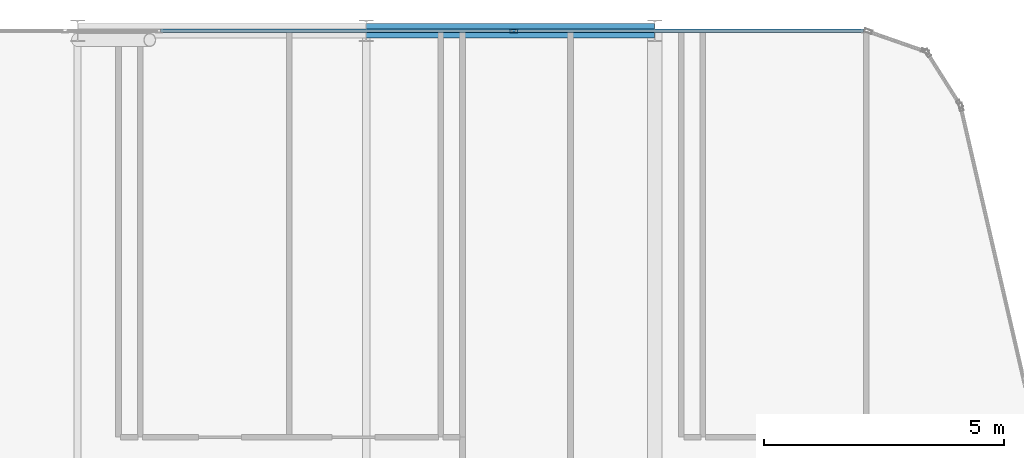
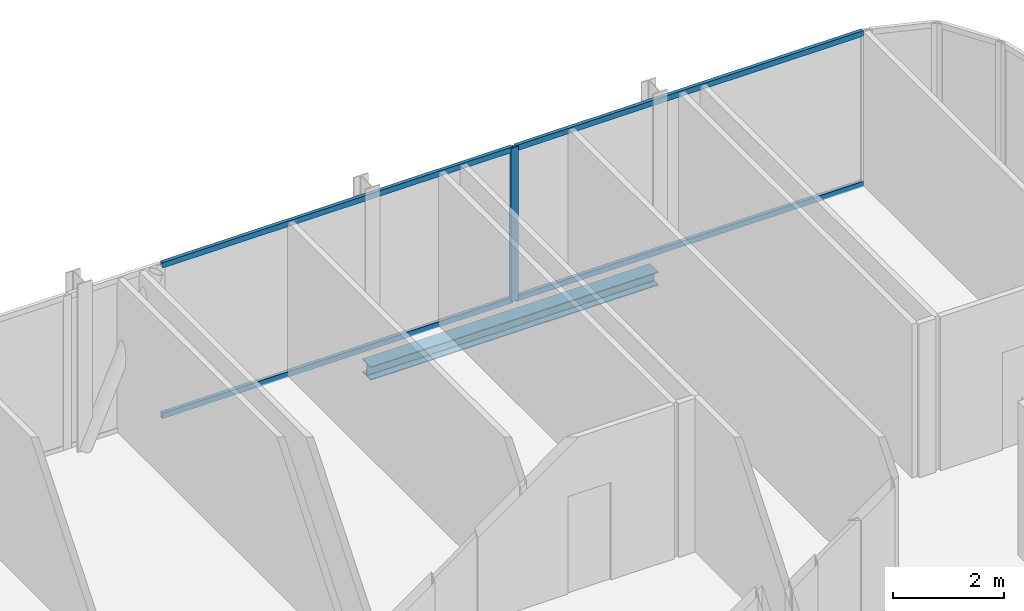
# One storey, part 19 of 29: 5 members, 1 beam, 1 element without a shape of its own.
"""IFC4 building model written with IfcOpenShell, lengths in metres."""

import ifcopenshell
import ifcopenshell.guid

model = None  # the IFC model being written
_history = None  # IfcOwnerHistory: only IFC2X3 demands one
_inside = {}  # id of a spatial element -> (the spatial element, [elements in it])
_under = {}  # id of a project, library or spatial element -> (it, [spatial elements below it])
_declared = {}  # id of a project -> (the project, [libraries it declares])
_typed = {}  # id of a type object -> (the type object, [elements of that type])
_made_of = {}  # id of a material, layer set ... -> (it, [elements and type objects made of it])


def new_model(schema):
    """Start an empty IFC model of exactly this schema.

    Asked for "IFC4X3", IfcOpenShell would pick the latest addendum, in which some entities
    have other attributes; the version numbers below select the first issue.
    IFC2X3 requires an IfcOwnerHistory on every rooted entity: one is made here for all.
    """
    global model, _history
    if schema == "IFC4X3":
        model = ifcopenshell.file(schema_version=(4, 3, 0, 0))
    else:
        model = ifcopenshell.file(schema=schema)
    _inside.clear()
    _under.clear()
    _declared.clear()
    _typed.clear()
    _made_of.clear()
    _history = None
    if model.schema == "IFC2X3":
        org = make("IfcOrganization", Name="unknown")
        user = make(
            "IfcPersonAndOrganization",
            ThePerson=make("IfcPerson", FamilyName="unknown"),
            TheOrganization=org,
        )
        app = make(
            "IfcApplication",
            ApplicationDeveloper=org,
            Version="unknown",
            ApplicationFullName="unknown",
            ApplicationIdentifier="unknown",
        )
        _history = make(
            "IfcOwnerHistory",
            OwningUser=user,
            OwningApplication=app,
            ChangeAction="ADDED",
            CreationDate=0,
        )
    return model


def make(cls, **values):
    """One entity of the class cls with the attributes given. An attribute that is None is left unset."""
    return model.create_entity(
        cls, **{name: value for name, value in values.items() if value is not None}
    )


def rooted(cls, **values):
    """An entity with a GlobalId (a new one), such as an element, a storey or a relation."""
    return make(cls, GlobalId=ifcopenshell.guid.new(), OwnerHistory=_history, **values)


def si_unit(unit_type, name, prefix=None):
    """IfcSIUnit, for example si_unit("LENGTHUNIT", "METRE", prefix="MILLI")."""
    return make("IfcSIUnit", UnitType=unit_type, Prefix=prefix, Name=name)


def assignment(units):
    """IfcUnitAssignment: the units of a project."""
    return None if units is None else make("IfcUnitAssignment", Units=units)


def point(xyz):
    """IfcCartesianPoint."""
    return None if xyz is None else make("IfcCartesianPoint", Coordinates=xyz)


def direction(xyz):
    """IfcDirection."""
    return None if xyz is None else make("IfcDirection", DirectionRatios=xyz)


def frame(location, z_axis=None, x_axis=None):
    """IfcAxis2Placement3D, a coordinate frame: its origin and axes. An axis left out is left unset."""
    return make(
        "IfcAxis2Placement3D",
        Location=point(location),
        Axis=direction(z_axis),
        RefDirection=direction(x_axis),
    )


def frame_2d(location, x_axis=None):
    """IfcAxis2Placement2D, a coordinate frame in the plane: its origin and x axis."""
    return make(
        "IfcAxis2Placement2D", Location=point(location), RefDirection=direction(x_axis)
    )


def origin():
    """The frame at (0, 0, 0) with its axes left unset."""
    return frame((0.0, 0.0, 0.0))


def origin_2d():
    """The frame at (0, 0) in the plane with its x axis left unset."""
    return frame_2d((0.0, 0.0))


def place(relative_to, where):
    """IfcLocalPlacement: puts the frame where relative to a parent placement (None: the world)."""
    return make(
        "IfcLocalPlacement", PlacementRelTo=relative_to, RelativePlacement=where
    )


def context(
    kind, dimensions, precision=None, world=None, true_north=None, identifier=None
):
    """IfcGeometricRepresentationContext, for example the 3D "Model" context."""
    return make(
        "IfcGeometricRepresentationContext",
        ContextIdentifier=identifier,
        ContextType=kind,
        CoordinateSpaceDimension=dimensions,
        Precision=precision,
        WorldCoordinateSystem=world,
        TrueNorth=true_north,
    )


def subcontext(parent, identifier, kind, view, scale=None):
    """IfcGeometricRepresentationSubContext, for example "Body" below "Model"."""
    return make(
        "IfcGeometricRepresentationSubContext",
        ContextIdentifier=identifier,
        ContextType=kind,
        ParentContext=parent,
        TargetScale=scale,
        TargetView=view,
    )


def project(units=None, contexts=None):
    """IfcProject with its units and contexts."""
    return rooted(
        "IfcProject",
        Name="project",
        RepresentationContexts=contexts,
        UnitsInContext=assignment(units),
    )


def spatial(cls, under=None, at=None, **own):
    """A site, building, storey or space (cls), placed at a placement, below another one or the project."""
    s = rooted(cls, ObjectPlacement=at, **own)
    if under is not None:
        _under.setdefault(under.id(), (under, []))[1].append(s)
    return s


def profile(cls, at=None, kind="AREA", **sizes):
    """A parametric profile (cls). Its sizes go by their IFC names, for example OverallWidth=200.0."""
    return make(cls, ProfileType=kind, Position=at, **sizes)


def hollow_rectangle(**sizes):
    """IfcRectangleHollowProfileDef."""
    return profile("IfcRectangleHollowProfileDef", **sizes)


def i_section(**sizes):
    """IfcIShapeProfileDef."""
    return profile("IfcIShapeProfileDef", **sizes)


def extrude(swept, where, along, depth):
    """IfcExtrudedAreaSolid: the profile swept, set in the frame where, extruded along a direction by depth."""
    return make(
        "IfcExtrudedAreaSolid",
        SweptArea=swept,
        Position=where,
        ExtrudedDirection=direction(along),
        Depth=depth,
    )


def shape(context_of_items, identifier, shape_type, items):
    """IfcShapeRepresentation: the items that make up one representation, for example the "Body"."""
    return make(
        "IfcShapeRepresentation",
        ContextOfItems=context_of_items,
        RepresentationIdentifier=identifier,
        RepresentationType=shape_type,
        Items=items,
    )


def material(Name=None, Category=None):
    """IfcMaterial."""
    return make("IfcMaterial", Name=Name, Category=Category)


def layer(
    of_material, thickness, ventilated=None, Name=None, Category=None, Priority=None
):
    """IfcMaterialLayer: one layer of a wall or slab, of a material (None: an air gap)."""
    return make(
        "IfcMaterialLayer",
        Material=of_material,
        LayerThickness=thickness,
        IsVentilated=ventilated,
        Name=Name,
        Category=Category,
        Priority=Priority,
    )


def layer_set(layers, Name=None):
    """IfcMaterialLayerSet."""
    return make("IfcMaterialLayerSet", MaterialLayers=layers, LayerSetName=Name)


def material_profile(
    of_material, cross_section, Name=None, Category=None, Priority=None
):
    """IfcMaterialProfile: a cross section and its material."""
    return make(
        "IfcMaterialProfile",
        Name=Name,
        Material=of_material,
        Profile=cross_section,
        Priority=Priority,
        Category=Category,
    )


def profile_set(profiles, Name=None, composite=None):
    """IfcMaterialProfileSet."""
    return make(
        "IfcMaterialProfileSet",
        Name=Name,
        MaterialProfiles=profiles,
        CompositeProfile=composite,
    )


def made_of(thing, what):
    """Note that an element or type object is made of a material, layer set ...; save() writes the relation."""
    if what is not None:
        _made_of.setdefault(what.id(), (what, []))[1].append(thing)
    return thing


def type_object(cls, material=None, **own):
    """A type object (cls), such as IfcWallType, which elements share."""
    return made_of(rooted(cls, **own), material)


def element(
    cls,
    number,
    at=None,
    inside=None,
    cuts=None,
    type_object=None,
    material=None,
    context=None,
    identifier="Body",
    shape_type=None,
    held_by="IfcProductDefinitionShape",
    body=None,
    shapes=None,
    **own,
):
    """One element of the class cls, such as IfcWall. Its Tag is "e" and its number.

    at: its placement. inside: the storey or other place that contains it. cuts: it is an
    opening in that element (IfcRelVoidsElement). A single representation is given by context,
    identifier, shape_type and body (its items); several are given by shapes. held_by: the class
    of the entity that holds the representations. save() writes the other relations.
    """
    e = rooted(cls, Tag="e%d" % number, ObjectPlacement=at, **own)
    if body is not None:
        shapes = [shape(context, identifier, shape_type, body)]
    if shapes is not None:
        e.Representation = make(held_by, Representations=shapes)
    if inside is not None:
        _inside.setdefault(inside.id(), (inside, []))[1].append(e)
    if cuts is not None:
        rooted(
            "IfcRelVoidsElement", RelatingBuildingElement=cuts, RelatedOpeningElement=e
        )
    if type_object is not None:
        _typed.setdefault(type_object.id(), (type_object, []))[1].append(e)
    return made_of(e, material)


def aggregate(whole, parts):
    """IfcRelAggregates: a whole, such as a stair, and the parts it consists of."""
    return rooted("IfcRelAggregates", RelatingObject=whole, RelatedObjects=parts)


def save(model, path):
    """Write the relations noted so far, then the file.

    IfcRelAggregates (storeys below a building ...), IfcRelContainedInSpatialStructure (elements
    in a storey), IfcRelDefinesByType, IfcRelAssociatesMaterial and IfcRelDeclares: one each for
    every whole, place, type object, material and project.
    """
    for whole, parts in _under.values():
        aggregate(whole, parts)
    for where, things in _inside.values():
        rooted(
            "IfcRelContainedInSpatialStructure",
            RelatedElements=things,
            RelatingStructure=where,
        )
    for kind, things in _typed.values():
        rooted("IfcRelDefinesByType", RelatedObjects=things, RelatingType=kind)
    for what, things in _made_of.values():
        rooted("IfcRelAssociatesMaterial", RelatedObjects=things, RelatingMaterial=what)
    for by, libraries in _declared.values():
        rooted("IfcRelDeclares", RelatingContext=by, RelatedDefinitions=libraries)
    model.write(path)


model = new_model("IFC4")

# Units and contexts
model_context = context("Model", 3, precision=1e-05, world=origin(), true_north=direction((0.0, 1.0)))
body_context = subcontext(model_context, "Body", "Model", "MODEL_VIEW")
ifc_project = project(units=[si_unit("LENGTHUNIT", "METRE"), si_unit("AREAUNIT", "SQUARE_METRE"), si_unit("VOLUMEUNIT", "CUBIC_METRE"), si_unit("PLANEANGLEUNIT", "RADIAN"), si_unit("MASSUNIT", "GRAM", prefix="KILO")], contexts=[model_context])

# Site, building, storey
site_placement = place(None, origin())
site = spatial("IfcSite", under=ifc_project, at=site_placement, CompositionType="ELEMENT")
building_placement = place(site_placement, origin())
building = spatial("IfcBuilding", under=site, at=building_placement, Name="Keshet Zoharim Tower", CompositionType="ELEMENT")
storey_placement = place(building_placement, frame((0.0, 0.0, 222.800048828125)))
storey = spatial("IfcBuildingStorey", under=building, at=storey_placement, Name="L55", CompositionType="ELEMENT", Elevation=222.800048828125)

# Beam
ifc_material_1 = material(Name="Steel S355", Category="steel")
ifc_material_profile_1 = material_profile(ifc_material_1, i_section(OverallWidth=0.300048828125, OverallDepth=0.300048828125, WebThickness=0.010986328125, FlangeThickness=0.01904296875, FilletRadius=0.027099609375, at=origin_2d()), Name="HEB300")
ifc_profile_set_1 = profile_set([ifc_material_profile_1], Name="Steel S355")
beam_type = type_object("IfcBeamType", Name="BM-PRI-HB300", PredefinedType="BEAM", material=ifc_profile_set_1)
beam_placement = place(storey_placement, frame((27.0, 53.89990234375, -0.4599609375), z_axis=(1.0, 0.0, 0.0), x_axis=(0.0, 1.0, 0.0)))
element("IfcBeam", 1, at=beam_placement, inside=storey, type_object=beam_type, Name="L55 Primary Girder X-020", PredefinedType="BEAM", context=body_context, shape_type="SweptSolid", body=[
    extrude(i_section(OverallWidth=0.300048828125, OverallDepth=0.300048828125, WebThickness=0.010986328125, FlangeThickness=0.01904296875, FilletRadius=0.027099609375, at=origin_2d()), origin(), (0.0, 0.0, 1.0), 6.0),
])

# Curtain wall, members
ifc_material_2 = material(Name="Aluminium 6063-T6", Category="aluminium")
ifc_layer = layer(ifc_material_2, 0.139892578125)
ifc_layer_set = layer_set([ifc_layer], Name="Aluminium 6063-T6")
curtain_wall_type = type_object("IfcCurtainWallType", Name="CW-SYS-05", PredefinedType="NOTDEFINED", material=ifc_layer_set)
curtain_wall_placement = place(storey_placement, origin())
curtain_wall = element("IfcCurtainWall", 2, at=curtain_wall_placement, inside=storey, type_object=curtain_wall_type, Name="L55 Unitised Curtain Wall 16 Part 3", PredefinedType="NOTDEFINED")
ifc_material_profile_2 = material_profile(ifc_material_2, hollow_rectangle(XDim=0.074951171875, YDim=0.159912109375, WallThickness=0.00390625, at=origin_2d()), Name="MUL-75x160")
ifc_profile_set_2 = profile_set([ifc_material_profile_2], Name="Aluminium 6063-T6")
member_type_1 = type_object("IfcMemberType", Name="CWM-M15", PredefinedType="MULLION", material=ifc_profile_set_2)
member_1_placement = place(storey_placement, frame((30.06689453125, 53.89990234375, 0.0), z_axis=(0.0, 0.0, 1.0), x_axis=(0.0, 1.0, 0.0)))
member_1 = element("IfcMember", 3, at=member_1_placement, type_object=member_type_1, Name="CW-05 mullion 2", PredefinedType="MULLION", context=body_context, shape_type="SweptSolid", body=[
    extrude(hollow_rectangle(XDim=0.074951171875, YDim=0.159912109375, WallThickness=0.00390625, at=origin_2d()), origin(), (0.0, 0.0, 1.0), 3.389892578125),
])
ifc_material_profile_3 = material_profile(ifc_material_2, hollow_rectangle(XDim=0.074951171875, YDim=0.1201171875, WallThickness=0.00390625, at=origin_2d()), Name="TRN-75x120")
ifc_profile_set_3 = profile_set([ifc_material_profile_3], Name="Aluminium 6063-T6")
member_type_2 = type_object("IfcMemberType", Name="CWT-T12", PredefinedType="USERDEFINED", material=ifc_profile_set_3)
member_2_placement = place(storey_placement, frame((22.724853515625, 53.89990234375, 0.034912109375), z_axis=(1.0, 0.0, 0.0), x_axis=(0.0, 1.0, 0.0)))
member_2 = element("IfcMember", 4, at=member_2_placement, type_object=member_type_2, Name="CW-05 transom 1.1", ObjectType="TRANSOM", PredefinedType="USERDEFINED", context=body_context, shape_type="SweptSolid", body=[
    extrude(hollow_rectangle(XDim=0.074951171875, YDim=0.1201171875, WallThickness=0.00390625, at=origin_2d()), origin(), (0.0, 0.0, 1.0), 7.30712890625),
])
member_3_placement = place(storey_placement, frame((22.724853515625, 53.89990234375, 3.35498046875), z_axis=(1.0, 0.0, 0.0), x_axis=(0.0, 1.0, 0.0)))
member_3 = element("IfcMember", 5, at=member_3_placement, type_object=member_type_2, Name="CW-05 transom 1.2", ObjectType="TRANSOM", PredefinedType="USERDEFINED", context=body_context, shape_type="SweptSolid", body=[
    extrude(hollow_rectangle(XDim=0.074951171875, YDim=0.1201171875, WallThickness=0.00390625, at=origin_2d()), origin(), (0.0, 0.0, 1.0), 7.30712890625),
])
member_4_placement = place(storey_placement, frame((30.101806640625, 53.89990234375, 0.034912109375), z_axis=(1.0, 0.0, 0.0), x_axis=(0.0, 1.0, 0.0)))
member_4 = element("IfcMember", 6, at=member_4_placement, type_object=member_type_2, Name="CW-05 transom 2.1", ObjectType="TRANSOM", PredefinedType="USERDEFINED", context=body_context, shape_type="SweptSolid", body=[
    extrude(hollow_rectangle(XDim=0.074951171875, YDim=0.1201171875, WallThickness=0.00390625, at=origin_2d()), origin(), (0.0, 0.0, 1.0), 7.2373046875),
])
member_5_placement = place(storey_placement, frame((30.101806640625, 53.89990234375, 3.35498046875), z_axis=(1.0, 0.0, 0.0), x_axis=(0.0, 1.0, 0.0)))
member_5 = element("IfcMember", 7, at=member_5_placement, type_object=member_type_2, Name="CW-05 transom 2.2", ObjectType="TRANSOM", PredefinedType="USERDEFINED", context=body_context, shape_type="SweptSolid", body=[
    extrude(hollow_rectangle(XDim=0.074951171875, YDim=0.1201171875, WallThickness=0.00390625, at=origin_2d()), origin(), (0.0, 0.0, 1.0), 7.2373046875),
])
aggregate(curtain_wall, [member_1, member_2, member_3, member_4, member_5])

save(model, "model.ifc")
